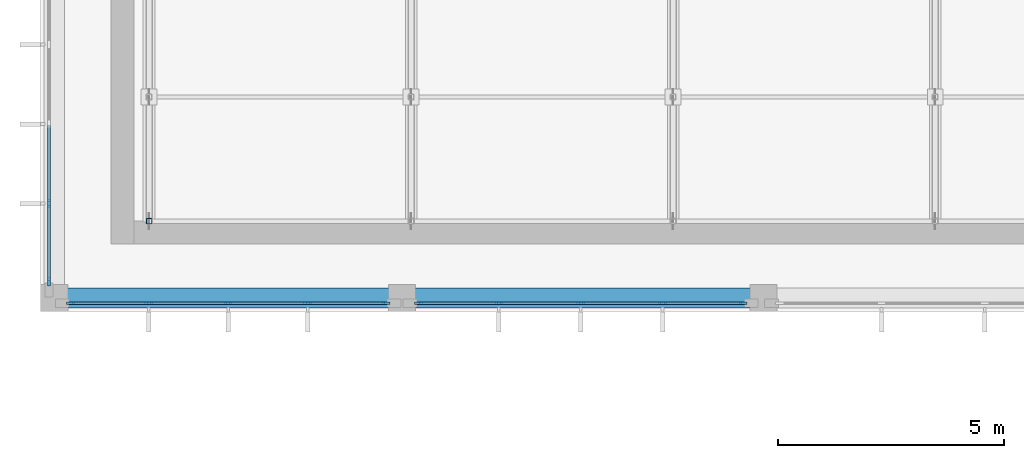
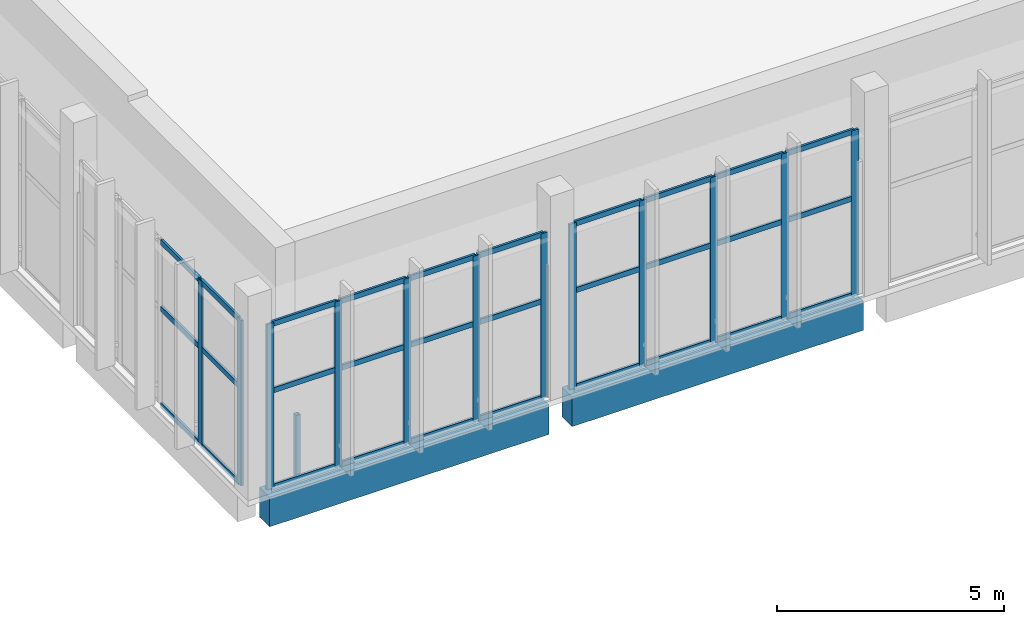
# One storey, part 4 of 132: 43 members, 2 beams, 3 elements without a shape of their own.
"""IFC4 building model written with IfcOpenShell, lengths in metres."""

from ifc_helpers import new_model, si_unit, direction, frame, origin, origin_2d, place, context, subcontext, project, spatial, rectangle, hollow_rectangle, extrude, material, layer, layer_set, material_profile, profile_set, type_object, element, aggregate, save


model = new_model("IFC4")

# Units and contexts
model_context = context("Model", 3, precision=1e-05, world=origin(), true_north=direction((0.0, 1.0)))
body_context = subcontext(model_context, "Body", "Model", "MODEL_VIEW")
ifc_project = project(units=[si_unit("LENGTHUNIT", "METRE"), si_unit("AREAUNIT", "SQUARE_METRE"), si_unit("VOLUMEUNIT", "CUBIC_METRE"), si_unit("PLANEANGLEUNIT", "RADIAN"), si_unit("MASSUNIT", "GRAM", prefix="KILO")], contexts=[model_context])

# Site, building, storey
site_placement = place(None, origin())
site = spatial("IfcSite", under=ifc_project, at=site_placement, CompositionType="ELEMENT")
building_placement = place(site_placement, origin())
building = spatial("IfcBuilding", under=site, at=building_placement, Name="Lunette Opera House", CompositionType="ELEMENT")
storey_placement = place(building_placement, frame((0.0, 0.0, 17.0)))
storey = spatial("IfcBuildingStorey", under=building, at=storey_placement, Name="L03", CompositionType="ELEMENT", Elevation=17.0)

# Curtain wall, members
ifc_material_1 = material(Name="Aluminium", Category="aluminium")
ifc_layer = layer(ifc_material_1, 0.179931640625)
ifc_layer_set = layer_set([ifc_layer], Name="Aluminium")
curtain_wall_type = type_object("IfcCurtainWallType", Name="SUN FACE CURTAIN WALL", PredefinedType="NOTDEFINED", material=ifc_layer_set)
curtain_wall_1_placement = place(storey_placement, origin())
curtain_wall_1 = element("IfcCurtainWall", 1, at=curtain_wall_1_placement, inside=storey, type_object=curtain_wall_type, Name="Sun Face Curtain Wall F18 L03", PredefinedType="NOTDEFINED")
ifc_material_2 = material(Name="Aluminium", Category="aluminium")
ifc_material_profile_1 = material_profile(ifc_material_2, rectangle(XDim=0.06005859375, YDim=0.179931640625, at=origin_2d()), Name="MULLION 60 X 180")
ifc_profile_set_1 = profile_set([ifc_material_profile_1], Name="Aluminium")
member_type_1 = type_object("IfcMemberType", Name="MULLION 60 X 180", PredefinedType="MULLION", material=ifc_profile_set_1)
member_1_placement = place(storey_placement, frame((8.181884765625, 66.389892578125, 0.0), z_axis=(0.0, 0.0, 1.0), x_axis=(1.0, 0.0, 0.0)))
member_1 = element("IfcMember", 2, at=member_1_placement, type_object=member_type_1, Name="RW-X2048 mullion 4", PredefinedType="MULLION", context=body_context, shape_type="SweptSolid", body=[
    extrude(rectangle(XDim=0.06005859375, YDim=0.179931640625, at=origin_2d()), origin(), (0.0, 0.0, 1.0), 4.449951171875),
])
member_2_placement = place(storey_placement, frame((8.181884765625, 64.659912109375, 0.0), z_axis=(0.0, 0.0, 1.0), x_axis=(1.0, 0.0, 0.0)))
member_2 = element("IfcMember", 3, at=member_2_placement, type_object=member_type_1, Name="RW-X2048 mullion 5", PredefinedType="MULLION", context=body_context, shape_type="SweptSolid", body=[
    extrude(rectangle(XDim=0.06005859375, YDim=0.179931640625, at=origin_2d()), origin(), (0.0, 0.0, 1.0), 4.449951171875),
])

curtain_wall_2_placement = place(storey_placement, origin())
curtain_wall_2 = element("IfcCurtainWall", 4, at=curtain_wall_2_placement, inside=storey, type_object=curtain_wall_type, Name="Sun Face Curtain Wall F19 L03", PredefinedType="NOTDEFINED")
member_3_placement = place(storey_placement, frame((8.659912109375, 64.18310546875, 0.0), z_axis=(0.0, 0.0, 1.0), x_axis=(0.0, 1.0, 0.0)))
member_3 = element("IfcMember", 5, at=member_3_placement, type_object=member_type_1, Name="RW-X2049 mullion 1", PredefinedType="MULLION", context=body_context, shape_type="SweptSolid", body=[
    extrude(rectangle(XDim=0.06005859375, YDim=0.179931640625, at=origin_2d()), origin(), (0.0, 0.0, 1.0), 4.449951171875),
])
member_4_placement = place(storey_placement, frame((10.389892578125, 64.18310546875, 0.0), z_axis=(0.0, 0.0, 1.0), x_axis=(0.0, 1.0, 0.0)))
member_4 = element("IfcMember", 6, at=member_4_placement, type_object=member_type_1, Name="RW-X2049 mullion 2", PredefinedType="MULLION", context=body_context, shape_type="SweptSolid", body=[
    extrude(rectangle(XDim=0.06005859375, YDim=0.179931640625, at=origin_2d()), origin(), (0.0, 0.0, 1.0), 4.449951171875),
])
member_5_placement = place(storey_placement, frame((12.14990234375, 64.18310546875, 0.0), z_axis=(0.0, 0.0, 1.0), x_axis=(0.0, 1.0, 0.0)))
member_5 = element("IfcMember", 7, at=member_5_placement, type_object=member_type_1, Name="RW-X2049 mullion 3", PredefinedType="MULLION", context=body_context, shape_type="SweptSolid", body=[
    extrude(rectangle(XDim=0.06005859375, YDim=0.179931640625, at=origin_2d()), origin(), (0.0, 0.0, 1.0), 4.449951171875),
])
member_6_placement = place(storey_placement, frame((13.909912109375, 64.18310546875, 0.0), z_axis=(0.0, 0.0, 1.0), x_axis=(0.0, 1.0, 0.0)))
member_6 = element("IfcMember", 8, at=member_6_placement, type_object=member_type_1, Name="RW-X2049 mullion 4", PredefinedType="MULLION", context=body_context, shape_type="SweptSolid", body=[
    extrude(rectangle(XDim=0.06005859375, YDim=0.179931640625, at=origin_2d()), origin(), (0.0, 0.0, 1.0), 4.449951171875),
])
member_7_placement = place(storey_placement, frame((15.639892578125, 64.18310546875, 0.0), z_axis=(0.0, 0.0, 1.0), x_axis=(0.0, 1.0, 0.0)))
member_7 = element("IfcMember", 9, at=member_7_placement, type_object=member_type_1, Name="RW-X2049 mullion 5", PredefinedType="MULLION", context=body_context, shape_type="SweptSolid", body=[
    extrude(rectangle(XDim=0.06005859375, YDim=0.179931640625, at=origin_2d()), origin(), (0.0, 0.0, 1.0), 4.449951171875),
])

curtain_wall_3_placement = place(storey_placement, origin())
curtain_wall_3 = element("IfcCurtainWall", 10, at=curtain_wall_3_placement, inside=storey, type_object=curtain_wall_type, Name="Sun Face Curtain Wall F20 L03", PredefinedType="NOTDEFINED")
member_8_placement = place(storey_placement, frame((16.360107421875, 64.18310546875, 0.0), z_axis=(0.0, 0.0, 1.0), x_axis=(0.0, 1.0, 0.0)))
member_8 = element("IfcMember", 11, at=member_8_placement, type_object=member_type_1, Name="RW-X2050 mullion 1", PredefinedType="MULLION", context=body_context, shape_type="SweptSolid", body=[
    extrude(rectangle(XDim=0.06005859375, YDim=0.179931640625, at=origin_2d()), origin(), (0.0, 0.0, 1.0), 4.449951171875),
])
member_9_placement = place(storey_placement, frame((18.141845703125, 64.18310546875, 0.0), z_axis=(0.0, 0.0, 1.0), x_axis=(0.0, 1.0, 0.0)))
member_9 = element("IfcMember", 12, at=member_9_placement, type_object=member_type_1, Name="RW-X2050 mullion 2", PredefinedType="MULLION", context=body_context, shape_type="SweptSolid", body=[
    extrude(rectangle(XDim=0.06005859375, YDim=0.179931640625, at=origin_2d()), origin(), (0.0, 0.0, 1.0), 4.449951171875),
])
member_10_placement = place(storey_placement, frame((19.95361328125, 64.18310546875, 0.0), z_axis=(0.0, 0.0, 1.0), x_axis=(0.0, 1.0, 0.0)))
member_10 = element("IfcMember", 13, at=member_10_placement, type_object=member_type_1, Name="RW-X2050 mullion 3", PredefinedType="MULLION", context=body_context, shape_type="SweptSolid", body=[
    extrude(rectangle(XDim=0.06005859375, YDim=0.179931640625, at=origin_2d()), origin(), (0.0, 0.0, 1.0), 4.449951171875),
])
member_11_placement = place(storey_placement, frame((21.76513671875, 64.18310546875, 0.0), z_axis=(0.0, 0.0, 1.0), x_axis=(0.0, 1.0, 0.0)))
member_11 = element("IfcMember", 14, at=member_11_placement, type_object=member_type_1, Name="RW-X2050 mullion 4", PredefinedType="MULLION", context=body_context, shape_type="SweptSolid", body=[
    extrude(rectangle(XDim=0.06005859375, YDim=0.179931640625, at=origin_2d()), origin(), (0.0, 0.0, 1.0), 4.449951171875),
])
member_12_placement = place(storey_placement, frame((23.547119140625, 64.18310546875, 0.0), z_axis=(0.0, 0.0, 1.0), x_axis=(0.0, 1.0, 0.0)))
member_12 = element("IfcMember", 15, at=member_12_placement, type_object=member_type_1, Name="RW-X2050 mullion 5", PredefinedType="MULLION", context=body_context, shape_type="SweptSolid", body=[
    extrude(rectangle(XDim=0.06005859375, YDim=0.179931640625, at=origin_2d()), origin(), (0.0, 0.0, 1.0), 4.449951171875),
])

# Beams
ifc_material_3 = material(Name="Concrete C35/45", Category="concrete")
ifc_material_profile_2 = material_profile(ifc_material_3, rectangle(XDim=0.449951171875, YDim=0.800048828125, at=origin_2d()), Name="RC BEAM 450X800")
ifc_profile_set_2 = profile_set([ifc_material_profile_2], Name="Concrete C35/45")
beam_type = type_object("IfcBeamType", Name="RC BEAM 450X800", PredefinedType="BEAM", material=ifc_profile_set_2)
beam_1_placement = place(storey_placement, frame((8.590087890625, 64.300048828125, -0.550048828125), z_axis=(1.0, 0.0, 0.0), x_axis=(0.0, 1.0, 0.0)))
element("IfcBeam", 16, at=beam_1_placement, inside=storey, type_object=beam_type, Name="beam-RW-L03-L03-GX00", PredefinedType="BEAM", context=body_context, shape_type="SweptSolid", body=[
    extrude(rectangle(XDim=0.449951171875, YDim=0.800048828125, at=origin_2d()), origin(), (0.0, 0.0, 1.0), 7.119873046875),
])
beam_2_placement = place(storey_placement, frame((16.2900390625, 64.300048828125, -0.550048828125), z_axis=(1.0, 0.0, 0.0), x_axis=(0.0, 1.0, 0.0)))
element("IfcBeam", 17, at=beam_2_placement, inside=storey, type_object=beam_type, Name="beam-RW-L03-L03-GX10", PredefinedType="BEAM", context=body_context, shape_type="SweptSolid", body=[
    extrude(rectangle(XDim=0.449951171875, YDim=0.800048828125, at=origin_2d()), origin(), (0.0, 0.0, 1.0), 7.419921875),
])

# Member
ifc_material_4 = material(Name="Aluminium", Category="aluminium")
ifc_material_profile_3 = material_profile(ifc_material_4, rectangle(XDim=0.06005859375, YDim=0.139892578125, at=origin_2d()), Name="TRANSOM 60 X 140")
ifc_profile_set_3 = profile_set([ifc_material_profile_3], Name="Aluminium")
member_type_2 = type_object("IfcMemberType", Name="TRANSOM 60 X 140", PredefinedType="USERDEFINED", material=ifc_profile_set_3)
member_13_placement = place(storey_placement, frame((8.181884765625, 68.1201171875, 0.030029296875), z_axis=(0.0, -1.0, 0.0), x_axis=(1.0, 0.0, 0.0)))
member_13 = element("IfcMember", 18, at=member_13_placement, type_object=member_type_2, Name="RW-X2048 transom 3.1", ObjectType="TRANSOM", PredefinedType="USERDEFINED", context=body_context, shape_type="SweptSolid", body=[
    extrude(rectangle(XDim=0.06005859375, YDim=0.139892578125, at=origin_2d()), origin(), (0.0, 0.0, 1.0), 1.7001953125),
])

member_14_placement = place(storey_placement, frame((8.181884765625, 68.1201171875, 2.625), z_axis=(0.0, -1.0, 0.0), x_axis=(1.0, 0.0, 0.0)))
member_14 = element("IfcMember", 19, at=member_14_placement, type_object=member_type_2, Name="RW-X2048 transom 3.2", ObjectType="TRANSOM", PredefinedType="USERDEFINED", context=body_context, shape_type="SweptSolid", body=[
    extrude(rectangle(XDim=0.06005859375, YDim=0.139892578125, at=origin_2d()), origin(), (0.0, 0.0, 1.0), 1.7001953125),
])

member_15_placement = place(storey_placement, frame((8.181884765625, 68.1201171875, 4.419921875), z_axis=(0.0, -1.0, 0.0), x_axis=(1.0, 0.0, 0.0)))
member_15 = element("IfcMember", 20, at=member_15_placement, type_object=member_type_2, Name="RW-X2048 transom 3.3", ObjectType="TRANSOM", PredefinedType="USERDEFINED", context=body_context, shape_type="SweptSolid", body=[
    extrude(rectangle(XDim=0.06005859375, YDim=0.139892578125, at=origin_2d()), origin(), (0.0, 0.0, 1.0), 1.7001953125),
])

member_16_placement = place(storey_placement, frame((8.181884765625, 66.360107421875, 0.030029296875), z_axis=(0.0, -1.0, 0.0), x_axis=(1.0, 0.0, 0.0)))
member_16 = element("IfcMember", 21, at=member_16_placement, type_object=member_type_2, Name="RW-X2048 transom 4.1", ObjectType="TRANSOM", PredefinedType="USERDEFINED", context=body_context, shape_type="SweptSolid", body=[
    extrude(rectangle(XDim=0.06005859375, YDim=0.139892578125, at=origin_2d()), origin(), (0.0, 0.0, 1.0), 1.670166015625),
])

member_17_placement = place(storey_placement, frame((8.181884765625, 66.360107421875, 2.625), z_axis=(0.0, -1.0, 0.0), x_axis=(1.0, 0.0, 0.0)))
member_17 = element("IfcMember", 22, at=member_17_placement, type_object=member_type_2, Name="RW-X2048 transom 4.2", ObjectType="TRANSOM", PredefinedType="USERDEFINED", context=body_context, shape_type="SweptSolid", body=[
    extrude(rectangle(XDim=0.06005859375, YDim=0.139892578125, at=origin_2d()), origin(), (0.0, 0.0, 1.0), 1.670166015625),
])

member_18_placement = place(storey_placement, frame((8.181884765625, 66.360107421875, 4.419921875), z_axis=(0.0, -1.0, 0.0), x_axis=(1.0, 0.0, 0.0)))
member_18 = element("IfcMember", 23, at=member_18_placement, type_object=member_type_2, Name="RW-X2048 transom 4.3", ObjectType="TRANSOM", PredefinedType="USERDEFINED", context=body_context, shape_type="SweptSolid", body=[
    extrude(rectangle(XDim=0.06005859375, YDim=0.139892578125, at=origin_2d()), origin(), (0.0, 0.0, 1.0), 1.670166015625),
])

aggregate(curtain_wall_1, [member_1, member_2, member_13, member_14, member_15, member_16, member_17, member_18])

member_19_placement = place(storey_placement, frame((8.68994140625, 64.18310546875, 0.030029296875), z_axis=(1.0, 0.0, 0.0), x_axis=(0.0, 1.0, 0.0)))
member_19 = element("IfcMember", 24, at=member_19_placement, type_object=member_type_2, Name="RW-X2049 transom 1.1", ObjectType="TRANSOM", PredefinedType="USERDEFINED", context=body_context, shape_type="SweptSolid", body=[
    extrude(rectangle(XDim=0.06005859375, YDim=0.139892578125, at=origin_2d()), origin(), (0.0, 0.0, 1.0), 1.670166015625),
])

member_20_placement = place(storey_placement, frame((8.68994140625, 64.18310546875, 2.625), z_axis=(1.0, 0.0, 0.0), x_axis=(0.0, 1.0, 0.0)))
member_20 = element("IfcMember", 25, at=member_20_placement, type_object=member_type_2, Name="RW-X2049 transom 1.2", ObjectType="TRANSOM", PredefinedType="USERDEFINED", context=body_context, shape_type="SweptSolid", body=[
    extrude(rectangle(XDim=0.06005859375, YDim=0.139892578125, at=origin_2d()), origin(), (0.0, 0.0, 1.0), 1.670166015625),
])

member_21_placement = place(storey_placement, frame((8.68994140625, 64.18310546875, 4.419921875), z_axis=(1.0, 0.0, 0.0), x_axis=(0.0, 1.0, 0.0)))
member_21 = element("IfcMember", 26, at=member_21_placement, type_object=member_type_2, Name="RW-X2049 transom 1.3", ObjectType="TRANSOM", PredefinedType="USERDEFINED", context=body_context, shape_type="SweptSolid", body=[
    extrude(rectangle(XDim=0.06005859375, YDim=0.139892578125, at=origin_2d()), origin(), (0.0, 0.0, 1.0), 1.670166015625),
])

member_22_placement = place(storey_placement, frame((10.419921875, 64.18310546875, 0.030029296875), z_axis=(1.0, 0.0, 0.0), x_axis=(0.0, 1.0, 0.0)))
member_22 = element("IfcMember", 27, at=member_22_placement, type_object=member_type_2, Name="RW-X2049 transom 2.1", ObjectType="TRANSOM", PredefinedType="USERDEFINED", context=body_context, shape_type="SweptSolid", body=[
    extrude(rectangle(XDim=0.06005859375, YDim=0.139892578125, at=origin_2d()), origin(), (0.0, 0.0, 1.0), 1.7001953125),
])

member_23_placement = place(storey_placement, frame((10.419921875, 64.18310546875, 2.625), z_axis=(1.0, 0.0, 0.0), x_axis=(0.0, 1.0, 0.0)))
member_23 = element("IfcMember", 28, at=member_23_placement, type_object=member_type_2, Name="RW-X2049 transom 2.2", ObjectType="TRANSOM", PredefinedType="USERDEFINED", context=body_context, shape_type="SweptSolid", body=[
    extrude(rectangle(XDim=0.06005859375, YDim=0.139892578125, at=origin_2d()), origin(), (0.0, 0.0, 1.0), 1.7001953125),
])

member_24_placement = place(storey_placement, frame((10.419921875, 64.18310546875, 4.419921875), z_axis=(1.0, 0.0, 0.0), x_axis=(0.0, 1.0, 0.0)))
member_24 = element("IfcMember", 29, at=member_24_placement, type_object=member_type_2, Name="RW-X2049 transom 2.3", ObjectType="TRANSOM", PredefinedType="USERDEFINED", context=body_context, shape_type="SweptSolid", body=[
    extrude(rectangle(XDim=0.06005859375, YDim=0.139892578125, at=origin_2d()), origin(), (0.0, 0.0, 1.0), 1.7001953125),
])

member_25_placement = place(storey_placement, frame((12.179931640625, 64.18310546875, 0.030029296875), z_axis=(1.0, 0.0, 0.0), x_axis=(0.0, 1.0, 0.0)))
member_25 = element("IfcMember", 30, at=member_25_placement, type_object=member_type_2, Name="RW-X2049 transom 3.1", ObjectType="TRANSOM", PredefinedType="USERDEFINED", context=body_context, shape_type="SweptSolid", body=[
    extrude(rectangle(XDim=0.06005859375, YDim=0.139892578125, at=origin_2d()), origin(), (0.0, 0.0, 1.0), 1.699951171875),
])

member_26_placement = place(storey_placement, frame((12.179931640625, 64.18310546875, 2.625), z_axis=(1.0, 0.0, 0.0), x_axis=(0.0, 1.0, 0.0)))
member_26 = element("IfcMember", 31, at=member_26_placement, type_object=member_type_2, Name="RW-X2049 transom 3.2", ObjectType="TRANSOM", PredefinedType="USERDEFINED", context=body_context, shape_type="SweptSolid", body=[
    extrude(rectangle(XDim=0.06005859375, YDim=0.139892578125, at=origin_2d()), origin(), (0.0, 0.0, 1.0), 1.699951171875),
])

member_27_placement = place(storey_placement, frame((12.179931640625, 64.18310546875, 4.419921875), z_axis=(1.0, 0.0, 0.0), x_axis=(0.0, 1.0, 0.0)))
member_27 = element("IfcMember", 32, at=member_27_placement, type_object=member_type_2, Name="RW-X2049 transom 3.3", ObjectType="TRANSOM", PredefinedType="USERDEFINED", context=body_context, shape_type="SweptSolid", body=[
    extrude(rectangle(XDim=0.06005859375, YDim=0.139892578125, at=origin_2d()), origin(), (0.0, 0.0, 1.0), 1.699951171875),
])

member_28_placement = place(storey_placement, frame((13.93994140625, 64.18310546875, 0.030029296875), z_axis=(1.0, 0.0, 0.0), x_axis=(0.0, 1.0, 0.0)))
member_28 = element("IfcMember", 33, at=member_28_placement, type_object=member_type_2, Name="RW-X2049 transom 4.1", ObjectType="TRANSOM", PredefinedType="USERDEFINED", context=body_context, shape_type="SweptSolid", body=[
    extrude(rectangle(XDim=0.06005859375, YDim=0.139892578125, at=origin_2d()), origin(), (0.0, 0.0, 1.0), 1.670166015625),
])

member_29_placement = place(storey_placement, frame((13.93994140625, 64.18310546875, 2.625), z_axis=(1.0, 0.0, 0.0), x_axis=(0.0, 1.0, 0.0)))
member_29 = element("IfcMember", 34, at=member_29_placement, type_object=member_type_2, Name="RW-X2049 transom 4.2", ObjectType="TRANSOM", PredefinedType="USERDEFINED", context=body_context, shape_type="SweptSolid", body=[
    extrude(rectangle(XDim=0.06005859375, YDim=0.139892578125, at=origin_2d()), origin(), (0.0, 0.0, 1.0), 1.670166015625),
])

member_30_placement = place(storey_placement, frame((13.93994140625, 64.18310546875, 4.419921875), z_axis=(1.0, 0.0, 0.0), x_axis=(0.0, 1.0, 0.0)))
member_30 = element("IfcMember", 35, at=member_30_placement, type_object=member_type_2, Name="RW-X2049 transom 4.3", ObjectType="TRANSOM", PredefinedType="USERDEFINED", context=body_context, shape_type="SweptSolid", body=[
    extrude(rectangle(XDim=0.06005859375, YDim=0.139892578125, at=origin_2d()), origin(), (0.0, 0.0, 1.0), 1.670166015625),
])

aggregate(curtain_wall_2, [member_3, member_4, member_5, member_6, member_7, member_19, member_20, member_21, member_22, member_23, member_24, member_25, member_26, member_27, member_28, member_29, member_30])

member_31_placement = place(storey_placement, frame((16.389892578125, 64.18310546875, 0.030029296875), z_axis=(1.0, 0.0, 0.0), x_axis=(0.0, 1.0, 0.0)))
member_31 = element("IfcMember", 36, at=member_31_placement, type_object=member_type_2, Name="RW-X2050 transom 1.1", ObjectType="TRANSOM", PredefinedType="USERDEFINED", context=body_context, shape_type="SweptSolid", body=[
    extrude(rectangle(XDim=0.06005859375, YDim=0.139892578125, at=origin_2d()), origin(), (0.0, 0.0, 1.0), 1.721923828125),
])

member_32_placement = place(storey_placement, frame((16.389892578125, 64.18310546875, 2.625), z_axis=(1.0, 0.0, 0.0), x_axis=(0.0, 1.0, 0.0)))
member_32 = element("IfcMember", 37, at=member_32_placement, type_object=member_type_2, Name="RW-X2050 transom 1.2", ObjectType="TRANSOM", PredefinedType="USERDEFINED", context=body_context, shape_type="SweptSolid", body=[
    extrude(rectangle(XDim=0.06005859375, YDim=0.139892578125, at=origin_2d()), origin(), (0.0, 0.0, 1.0), 1.721923828125),
])

member_33_placement = place(storey_placement, frame((16.389892578125, 64.18310546875, 4.419921875), z_axis=(1.0, 0.0, 0.0), x_axis=(0.0, 1.0, 0.0)))
member_33 = element("IfcMember", 38, at=member_33_placement, type_object=member_type_2, Name="RW-X2050 transom 1.3", ObjectType="TRANSOM", PredefinedType="USERDEFINED", context=body_context, shape_type="SweptSolid", body=[
    extrude(rectangle(XDim=0.06005859375, YDim=0.139892578125, at=origin_2d()), origin(), (0.0, 0.0, 1.0), 1.721923828125),
])

member_34_placement = place(storey_placement, frame((18.171630859375, 64.18310546875, 0.030029296875), z_axis=(1.0, 0.0, 0.0), x_axis=(0.0, 1.0, 0.0)))
member_34 = element("IfcMember", 39, at=member_34_placement, type_object=member_type_2, Name="RW-X2050 transom 2.1", ObjectType="TRANSOM", PredefinedType="USERDEFINED", context=body_context, shape_type="SweptSolid", body=[
    extrude(rectangle(XDim=0.06005859375, YDim=0.139892578125, at=origin_2d()), origin(), (0.0, 0.0, 1.0), 1.751953125),
])

member_35_placement = place(storey_placement, frame((18.171630859375, 64.18310546875, 2.625), z_axis=(1.0, 0.0, 0.0), x_axis=(0.0, 1.0, 0.0)))
member_35 = element("IfcMember", 40, at=member_35_placement, type_object=member_type_2, Name="RW-X2050 transom 2.2", ObjectType="TRANSOM", PredefinedType="USERDEFINED", context=body_context, shape_type="SweptSolid", body=[
    extrude(rectangle(XDim=0.06005859375, YDim=0.139892578125, at=origin_2d()), origin(), (0.0, 0.0, 1.0), 1.751953125),
])

member_36_placement = place(storey_placement, frame((18.171630859375, 64.18310546875, 4.419921875), z_axis=(1.0, 0.0, 0.0), x_axis=(0.0, 1.0, 0.0)))
member_36 = element("IfcMember", 41, at=member_36_placement, type_object=member_type_2, Name="RW-X2050 transom 2.3", ObjectType="TRANSOM", PredefinedType="USERDEFINED", context=body_context, shape_type="SweptSolid", body=[
    extrude(rectangle(XDim=0.06005859375, YDim=0.139892578125, at=origin_2d()), origin(), (0.0, 0.0, 1.0), 1.751953125),
])

member_37_placement = place(storey_placement, frame((19.9833984375, 64.18310546875, 0.030029296875), z_axis=(1.0, 0.0, 0.0), x_axis=(0.0, 1.0, 0.0)))
member_37 = element("IfcMember", 42, at=member_37_placement, type_object=member_type_2, Name="RW-X2050 transom 3.1", ObjectType="TRANSOM", PredefinedType="USERDEFINED", context=body_context, shape_type="SweptSolid", body=[
    extrude(rectangle(XDim=0.06005859375, YDim=0.139892578125, at=origin_2d()), origin(), (0.0, 0.0, 1.0), 1.751953125),
])

member_38_placement = place(storey_placement, frame((19.9833984375, 64.18310546875, 2.625), z_axis=(1.0, 0.0, 0.0), x_axis=(0.0, 1.0, 0.0)))
member_38 = element("IfcMember", 43, at=member_38_placement, type_object=member_type_2, Name="RW-X2050 transom 3.2", ObjectType="TRANSOM", PredefinedType="USERDEFINED", context=body_context, shape_type="SweptSolid", body=[
    extrude(rectangle(XDim=0.06005859375, YDim=0.139892578125, at=origin_2d()), origin(), (0.0, 0.0, 1.0), 1.751953125),
])

member_39_placement = place(storey_placement, frame((19.9833984375, 64.18310546875, 4.419921875), z_axis=(1.0, 0.0, 0.0), x_axis=(0.0, 1.0, 0.0)))
member_39 = element("IfcMember", 44, at=member_39_placement, type_object=member_type_2, Name="RW-X2050 transom 3.3", ObjectType="TRANSOM", PredefinedType="USERDEFINED", context=body_context, shape_type="SweptSolid", body=[
    extrude(rectangle(XDim=0.06005859375, YDim=0.139892578125, at=origin_2d()), origin(), (0.0, 0.0, 1.0), 1.751953125),
])

member_40_placement = place(storey_placement, frame((21.795166015625, 64.18310546875, 0.030029296875), z_axis=(1.0, 0.0, 0.0), x_axis=(0.0, 1.0, 0.0)))
member_40 = element("IfcMember", 45, at=member_40_placement, type_object=member_type_2, Name="RW-X2050 transom 4.1", ObjectType="TRANSOM", PredefinedType="USERDEFINED", context=body_context, shape_type="SweptSolid", body=[
    extrude(rectangle(XDim=0.06005859375, YDim=0.139892578125, at=origin_2d()), origin(), (0.0, 0.0, 1.0), 1.721923828125),
])

member_41_placement = place(storey_placement, frame((21.795166015625, 64.18310546875, 2.625), z_axis=(1.0, 0.0, 0.0), x_axis=(0.0, 1.0, 0.0)))
member_41 = element("IfcMember", 46, at=member_41_placement, type_object=member_type_2, Name="RW-X2050 transom 4.2", ObjectType="TRANSOM", PredefinedType="USERDEFINED", context=body_context, shape_type="SweptSolid", body=[
    extrude(rectangle(XDim=0.06005859375, YDim=0.139892578125, at=origin_2d()), origin(), (0.0, 0.0, 1.0), 1.721923828125),
])

member_42_placement = place(storey_placement, frame((21.795166015625, 64.18310546875, 4.419921875), z_axis=(1.0, 0.0, 0.0), x_axis=(0.0, 1.0, 0.0)))
member_42 = element("IfcMember", 47, at=member_42_placement, type_object=member_type_2, Name="RW-X2050 transom 4.3", ObjectType="TRANSOM", PredefinedType="USERDEFINED", context=body_context, shape_type="SweptSolid", body=[
    extrude(rectangle(XDim=0.06005859375, YDim=0.139892578125, at=origin_2d()), origin(), (0.0, 0.0, 1.0), 1.721923828125),
])

aggregate(curtain_wall_3, [member_8, member_9, member_10, member_11, member_12, member_31, member_32, member_33, member_34, member_35, member_36, member_37, member_38, member_39, member_40, member_41, member_42])

ifc_material_5 = material(Name="Steel S355", Category="steel")
ifc_material_profile_4 = material_profile(ifc_material_5, hollow_rectangle(XDim=0.1201171875, YDim=0.1201171875, WallThickness=0.0048828125, InnerFilletRadius=0.0048828125, OuterFilletRadius=0.010009765625, at=origin_2d()), Name="RHS 120X120X5")
ifc_profile_set_4 = profile_set([ifc_material_profile_4], Name="Steel S355")
member_type_3 = type_object("IfcMemberType", Name="VERTICAL RHS 120X120X5", PredefinedType="POST", material=ifc_profile_set_4)
member_43_placement = place(storey_placement, frame((10.39990234375, 66.0, -1.705078125), z_axis=(0.0, 0.0, 1.0), x_axis=(1.0, 0.0, 0.0)))
element("IfcMember", 48, at=member_43_placement, inside=storey, type_object=member_type_3, Name="mem-RW-L03-RW-TR01-TV1", PredefinedType="POST", context=body_context, shape_type="SweptSolid", body=[
    extrude(hollow_rectangle(XDim=0.1201171875, YDim=0.1201171875, WallThickness=0.0048828125, InnerFilletRadius=0.0048828125, OuterFilletRadius=0.010009765625, at=origin_2d()), origin(), (0.0, 0.0, 1.0), 2.0),
])

save(model, "model.ifc")
